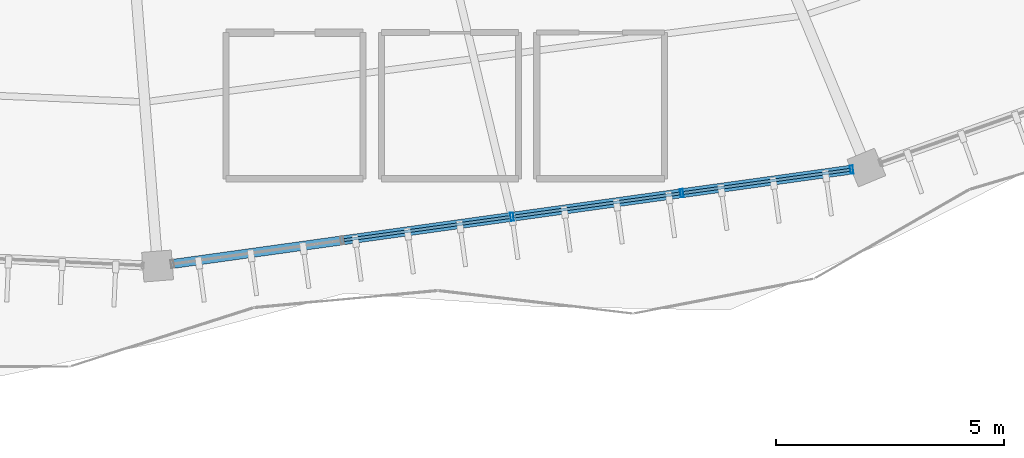
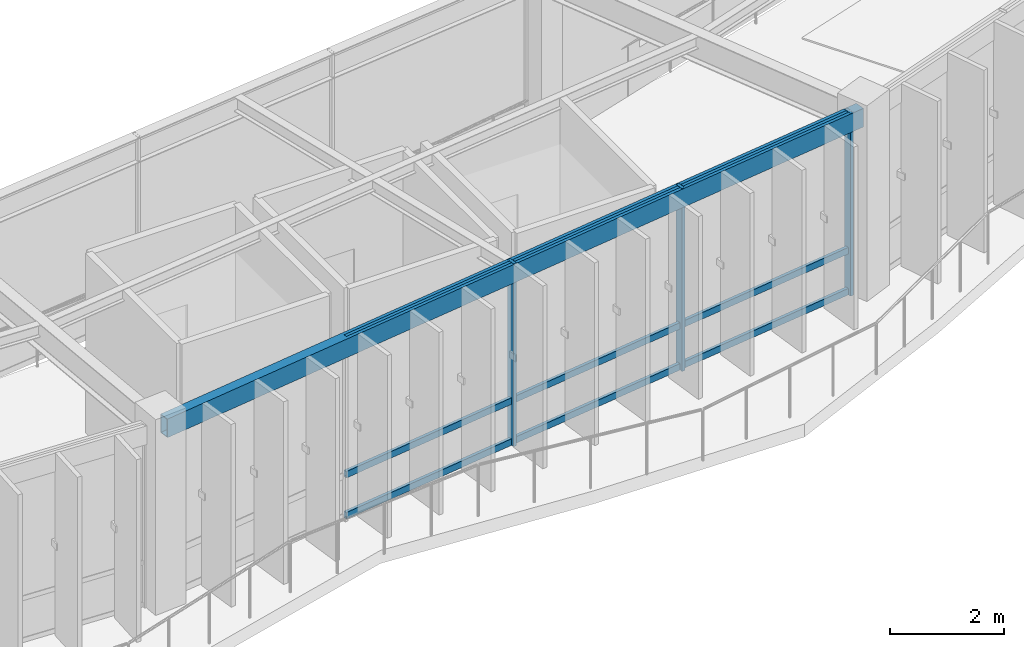
# One storey, part 26 of 114: 12 members, 1 beam, 1 element without a shape of its own.
"""IFC4 building model written with IfcOpenShell, lengths in metres."""

from ifc_helpers import new_model, si_unit, direction, frame, origin, origin_2d, place, context, subcontext, project, spatial, hollow_rectangle, extrude, material, material_profile, profile_set, type_object, element, aggregate, save


model = new_model("IFC4")

# Units and contexts
model_context = context("Model", 3, precision=1e-05, world=origin(), true_north=direction((0.0, 1.0)))
body_context = subcontext(model_context, "Body", "Model", "MODEL_VIEW")
ifc_project = project(units=[si_unit("LENGTHUNIT", "METRE"), si_unit("AREAUNIT", "SQUARE_METRE"), si_unit("VOLUMEUNIT", "CUBIC_METRE"), si_unit("PLANEANGLEUNIT", "RADIAN"), si_unit("MASSUNIT", "GRAM", prefix="KILO"), si_unit("THERMODYNAMICTEMPERATUREUNIT", "KELVIN"), si_unit("POWERUNIT", "WATT")], contexts=[model_context])

# Site, building, storey
site_placement = place(None, origin())
site = spatial("IfcSite", under=ifc_project, at=site_placement, CompositionType="ELEMENT")
building_placement = place(site_placement, origin())
building = spatial("IfcBuilding", under=site, at=building_placement, Name="Darbajah Civic Hall", CompositionType="ELEMENT")
storey_placement = place(building_placement, frame((0.0, 0.0, 13.800048828125)))
storey = spatial("IfcBuildingStorey", under=building, at=storey_placement, Name="L03", CompositionType="ELEMENT", Elevation=13.800048828125)

# Curtain wall, members
ifc_material_1 = material(Name="Anodised Bronze Aluminium and Low-E Glazing", Category="aluminium")
curtain_wall_type = type_object("IfcCurtainWallType", Name="Unitised Curtain Wall CW-49 15000x3900", PredefinedType="USERDEFINED", material=ifc_material_1)
curtain_wall_placement = place(storey_placement, origin())
curtain_wall = element("IfcCurtainWall", 1, at=curtain_wall_placement, inside=storey, type_object=curtain_wall_type, Name="L03 unitised curtain wall CW-V1O-L03-15", ObjectType="UNITISED CURTAIN WALL", PredefinedType="USERDEFINED")
ifc_material_2 = material(Name="Anodised Bronze Aluminium", Category="aluminium")
ifc_material_profile_1 = material_profile(ifc_material_2, hollow_rectangle(XDim=0.06494140625, YDim=0.179931640625, WallThickness=0.00390625, at=origin_2d()), Name="ALU MULLION 65x180")
ifc_profile_set_1 = profile_set([ifc_material_profile_1], Name="Anodised Bronze Aluminium")
member_type_1 = type_object("IfcMemberType", Name="ALU MULLION 65x180", PredefinedType="MULLION", material=ifc_profile_set_1)
member_1_placement = place(storey_placement, frame((100.859130859375, 61.46826171875, 0.0), z_axis=(0.0, 0.0, 1.0), x_axis=(0.990485459553, 0.137617420457, 0.0)))
member_1 = element("IfcMember", 2, at=member_1_placement, type_object=member_type_1, Name="CW-V1O-L03-15 mullion 3", PredefinedType="MULLION", context=body_context, shape_type="SweptSolid", body=[
    extrude(hollow_rectangle(XDim=0.06494140625, YDim=0.179931640625, WallThickness=0.00390625, at=origin_2d()), origin(), (0.0, 0.0, 1.0), 3.919921875),
])
member_2_placement = place(storey_placement, frame((104.576171875, 61.984375, 0.0), z_axis=(0.0, 0.0, 1.0), x_axis=(0.990485459553, 0.137617420457, 0.0)))
member_2 = element("IfcMember", 3, at=member_2_placement, type_object=member_type_1, Name="CW-V1O-L03-15 mullion 4", PredefinedType="MULLION", context=body_context, shape_type="SweptSolid", body=[
    extrude(hollow_rectangle(XDim=0.06494140625, YDim=0.179931640625, WallThickness=0.00390625, at=origin_2d()), origin(), (0.0, 0.0, 1.0), 3.919921875),
])
member_3_placement = place(storey_placement, frame((108.29296875, 62.50048828125, 0.0), z_axis=(0.0, 0.0, 1.0), x_axis=(0.990485459553, 0.137617420457, 0.0)))
member_3 = element("IfcMember", 4, at=member_3_placement, type_object=member_type_1, Name="CW-V1O-L03-15 mullion 5", PredefinedType="MULLION", context=body_context, shape_type="SweptSolid", body=[
    extrude(hollow_rectangle(XDim=0.06494140625, YDim=0.179931640625, WallThickness=0.00390625, at=origin_2d()), origin(), (0.0, 0.0, 1.0), 3.919921875),
])
ifc_material_profile_2 = material_profile(ifc_material_2, hollow_rectangle(XDim=0.06494140625, YDim=0.139892578125, WallThickness=0.00341796875, at=origin_2d()), Name="ALU TRANSOM 65x140")
ifc_profile_set_2 = profile_set([ifc_material_profile_2], Name="Anodised Bronze Aluminium")
member_type_2 = type_object("IfcMemberType", Name="ALU TRANSOM 65x140", PredefinedType="USERDEFINED", material=ifc_profile_set_2)
member_4_placement = place(storey_placement, frame((97.179443359375, 60.957275390625, 0.070068359375), z_axis=(0.990494283277, 0.137553897785, 0.0), x_axis=(-0.137553897785, 0.990494283277, 0.0)))
member_4 = element("IfcMember", 5, at=member_4_placement, type_object=member_type_2, Name="CW-V1O-L03-15 transom 2.1", ObjectType="TRANSOM", PredefinedType="USERDEFINED", context=body_context, shape_type="SweptSolid", body=[
    extrude(hollow_rectangle(XDim=0.06494140625, YDim=0.139892578125, WallThickness=0.00341796875, at=origin_2d()), origin(), (0.0, 0.0, 1.0), 3.677490234375),
])
member_5_placement = place(storey_placement, frame((97.179443359375, 60.957275390625, 0.949951171875), z_axis=(0.990494283277, 0.137553897785, 0.0), x_axis=(-0.137553897785, 0.990494283277, 0.0)))
member_5 = element("IfcMember", 6, at=member_5_placement, type_object=member_type_2, Name="CW-V1O-L03-15 transom 2.2", ObjectType="TRANSOM", PredefinedType="USERDEFINED", context=body_context, shape_type="SweptSolid", body=[
    extrude(hollow_rectangle(XDim=0.06494140625, YDim=0.139892578125, WallThickness=0.00341796875, at=origin_2d()), origin(), (0.0, 0.0, 1.0), 3.677490234375),
])
member_6_placement = place(storey_placement, frame((97.179443359375, 60.957275390625, 3.849853515625), z_axis=(0.990494283277, 0.137553897785, 0.0), x_axis=(-0.137553897785, 0.990494283277, 0.0)))
member_6 = element("IfcMember", 7, at=member_6_placement, type_object=member_type_2, Name="CW-V1O-L03-15 transom 2.3", ObjectType="TRANSOM", PredefinedType="USERDEFINED", context=body_context, shape_type="SweptSolid", body=[
    extrude(hollow_rectangle(XDim=0.06494140625, YDim=0.139892578125, WallThickness=0.00341796875, at=origin_2d()), origin(), (0.0, 0.0, 1.0), 3.677490234375),
])
member_7_placement = place(storey_placement, frame((100.896240234375, 61.473388671875, 0.070068359375), z_axis=(0.990494283277, 0.137553897785, 0.0), x_axis=(-0.137553897785, 0.990494283277, 0.0)))
member_7 = element("IfcMember", 8, at=member_7_placement, type_object=member_type_2, Name="CW-V1O-L03-15 transom 3.1", ObjectType="TRANSOM", PredefinedType="USERDEFINED", context=body_context, shape_type="SweptSolid", body=[
    extrude(hollow_rectangle(XDim=0.06494140625, YDim=0.139892578125, WallThickness=0.00341796875, at=origin_2d()), origin(), (0.0, 0.0, 1.0), 3.677490234375),
])
member_8_placement = place(storey_placement, frame((100.896240234375, 61.473388671875, 0.949951171875), z_axis=(0.990494283277, 0.137553897785, 0.0), x_axis=(-0.137553897785, 0.990494283277, 0.0)))
member_8 = element("IfcMember", 9, at=member_8_placement, type_object=member_type_2, Name="CW-V1O-L03-15 transom 3.2", ObjectType="TRANSOM", PredefinedType="USERDEFINED", context=body_context, shape_type="SweptSolid", body=[
    extrude(hollow_rectangle(XDim=0.06494140625, YDim=0.139892578125, WallThickness=0.00341796875, at=origin_2d()), origin(), (0.0, 0.0, 1.0), 3.677490234375),
])
member_9_placement = place(storey_placement, frame((100.896240234375, 61.473388671875, 3.849853515625), z_axis=(0.990494283277, 0.137553897785, 0.0), x_axis=(-0.137553897785, 0.990494283277, 0.0)))
member_9 = element("IfcMember", 10, at=member_9_placement, type_object=member_type_2, Name="CW-V1O-L03-15 transom 3.3", ObjectType="TRANSOM", PredefinedType="USERDEFINED", context=body_context, shape_type="SweptSolid", body=[
    extrude(hollow_rectangle(XDim=0.06494140625, YDim=0.139892578125, WallThickness=0.00341796875, at=origin_2d()), origin(), (0.0, 0.0, 1.0), 3.677490234375),
])
member_10_placement = place(storey_placement, frame((104.61328125, 61.989501953125, 0.070068359375), z_axis=(0.990494283277, 0.137553897785, 0.0), x_axis=(-0.137553897785, 0.990494283277, 0.0)))
member_10 = element("IfcMember", 11, at=member_10_placement, type_object=member_type_2, Name="CW-V1O-L03-15 transom 4.1", ObjectType="TRANSOM", PredefinedType="USERDEFINED", context=body_context, shape_type="SweptSolid", body=[
    extrude(hollow_rectangle(XDim=0.06494140625, YDim=0.139892578125, WallThickness=0.00341796875, at=origin_2d()), origin(), (0.0, 0.0, 1.0), 3.677490234375),
])
member_11_placement = place(storey_placement, frame((104.61328125, 61.989501953125, 0.949951171875), z_axis=(0.990494283277, 0.137553897785, 0.0), x_axis=(-0.137553897785, 0.990494283277, 0.0)))
member_11 = element("IfcMember", 12, at=member_11_placement, type_object=member_type_2, Name="CW-V1O-L03-15 transom 4.2", ObjectType="TRANSOM", PredefinedType="USERDEFINED", context=body_context, shape_type="SweptSolid", body=[
    extrude(hollow_rectangle(XDim=0.06494140625, YDim=0.139892578125, WallThickness=0.00341796875, at=origin_2d()), origin(), (0.0, 0.0, 1.0), 3.677490234375),
])
member_12_placement = place(storey_placement, frame((104.61328125, 61.989501953125, 3.849853515625), z_axis=(0.990494283277, 0.137553897785, 0.0), x_axis=(-0.137553897785, 0.990494283277, 0.0)))
member_12 = element("IfcMember", 13, at=member_12_placement, type_object=member_type_2, Name="CW-V1O-L03-15 transom 4.3", ObjectType="TRANSOM", PredefinedType="USERDEFINED", context=body_context, shape_type="SweptSolid", body=[
    extrude(hollow_rectangle(XDim=0.06494140625, YDim=0.139892578125, WallThickness=0.00341796875, at=origin_2d()), origin(), (0.0, 0.0, 1.0), 3.677490234375),
])
aggregate(curtain_wall, [member_1, member_2, member_3, member_4, member_5, member_6, member_7, member_8, member_9, member_10, member_11, member_12])

# Beam
ifc_material_3 = material(Name="Steel S355JR", Category="steel")
ifc_material_profile_3 = material_profile(ifc_material_3, hollow_rectangle(XDim=0.199951171875, YDim=0.39990234375, WallThickness=0.013916015625, at=origin_2d()), Name="RHS 400x200x14")
ifc_profile_set_3 = profile_set([ifc_material_profile_3], Name="Steel S355JR")
beam_type = type_object("IfcBeamType", Name="RHS 400x200x14", PredefinedType="SPANDREL", material=ifc_profile_set_3)
beam_placement = place(storey_placement, frame((93.1806640625, 60.40185546875, 3.719970703125), z_axis=(0.990493107575, 0.137562363482, 0.0), x_axis=(-0.137562363482, 0.990493107575, 0.0)))
element("IfcBeam", 14, at=beam_placement, inside=storey, type_object=beam_type, Name="L03 beam SP-RHS400", PredefinedType="SPANDREL", context=body_context, shape_type="SweptSolid", body=[
    extrude(hollow_rectangle(XDim=0.199951171875, YDim=0.39990234375, WallThickness=0.013916015625, at=origin_2d()), origin(), (0.0, 0.0, 1.0), 15.50439453125),
])

save(model, "model.ifc")
